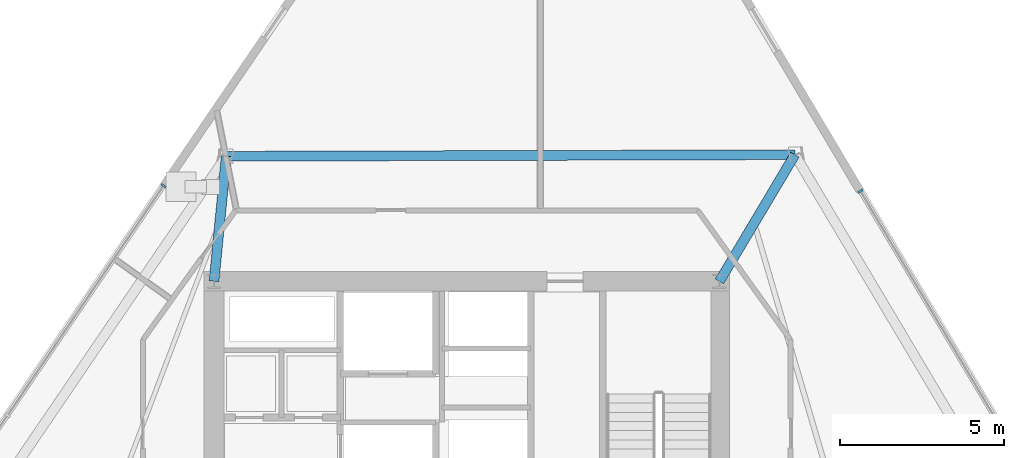
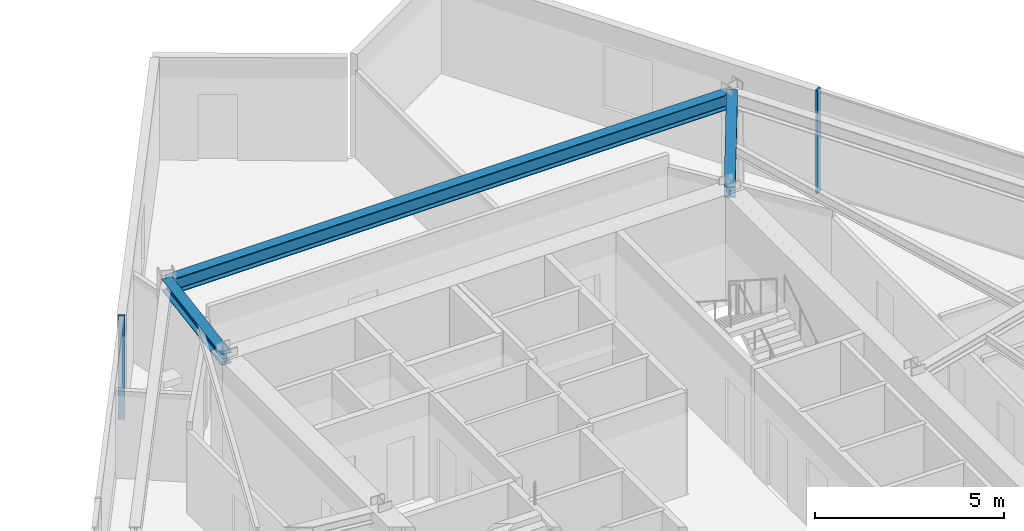
# One storey, part 6 of 15: 3 beams, 2 members, 2 elements without a shape of their own.
"""IFC4 building model written with IfcOpenShell, lengths in metres."""

from ifc_helpers import new_model, si_unit, direction, frame, origin, origin_2d, place, context, subcontext, project, spatial, rectangle, i_section, extrude, material, material_profile, profile_set, type_object, element, aggregate, save


model = new_model("IFC4")

# Units and contexts
model_context = context("Model", 3, precision=1e-05, world=origin(), true_north=direction((0.0, 1.0)))
body_context = subcontext(model_context, "Body", "Model", "MODEL_VIEW")
ifc_project = project(units=[si_unit("LENGTHUNIT", "METRE"), si_unit("AREAUNIT", "SQUARE_METRE"), si_unit("VOLUMEUNIT", "CUBIC_METRE"), si_unit("PLANEANGLEUNIT", "RADIAN"), si_unit("MASSUNIT", "GRAM", prefix="KILO")], contexts=[model_context])

# Site, building, storey
site_placement = place(None, origin())
site = spatial("IfcSite", under=ifc_project, at=site_placement, CompositionType="ELEMENT")
building_placement = place(site_placement, origin())
building = spatial("IfcBuilding", under=site, at=building_placement, Name="Savorim Split Tower", CompositionType="ELEMENT")
storey_placement = place(building_placement, frame((0.0, 0.0, 100.5)))
storey = spatial("IfcBuildingStorey", under=building, at=storey_placement, Name="L26", CompositionType="ELEMENT", Elevation=100.5)

# Beams
ifc_material_1 = material(Name="Steel S355", Category="steel")
ifc_material_profile_1 = material_profile(ifc_material_1, i_section(OverallWidth=0.300048828125, OverallDepth=0.360107421875, WebThickness=0.012451171875, FlangeThickness=0.0224609375, FilletRadius=0.027099609375, at=origin_2d()), Name="HEB 360")
ifc_profile_set_1 = profile_set([ifc_material_profile_1], Name="Steel S355")
beam_type_1 = type_object("IfcBeamType", Name="BM-PRI-HEB360", PredefinedType="BEAM", material=ifc_profile_set_1)
beam_1_placement = place(storey_placement, frame((9.998291015625, 14.05810546875, 3.169921875), z_axis=(-0.511782978851, -0.859114766814, 0.0), x_axis=(0.859114766814, -0.511782978851, 0.0)))
element("IfcBeam", 1, at=beam_1_placement, inside=storey, type_object=beam_type_1, Name="L26 Primary Floor Girder RG-07", PredefinedType="BEAM", context=body_context, shape_type="SweptSolid", body=[
    extrude(i_section(OverallWidth=0.300048828125, OverallDepth=0.360107421875, WebThickness=0.012451171875, FlangeThickness=0.0224609375, FilletRadius=0.027099609375, at=origin_2d()), origin(), (0.0, 0.0, 1.0), 4.490966796875),
])
beam_2_placement = place(storey_placement, frame((-7.3271484375, 14.009521484375, 3.169921875), z_axis=(-0.097394286852, -0.995245875595, 0.0), x_axis=(0.995245875595, -0.097394286852, 0.0)))
element("IfcBeam", 2, at=beam_2_placement, inside=storey, type_object=beam_type_1, Name="L26 Primary Floor Girder RG-08", PredefinedType="BEAM", context=body_context, shape_type="SweptSolid", body=[
    extrude(i_section(OverallWidth=0.300048828125, OverallDepth=0.360107421875, WebThickness=0.012451171875, FlangeThickness=0.0224609375, FilletRadius=0.027099609375, at=origin_2d()), origin(), (0.0, 0.0, 1.0), 3.827880859375),
])
ifc_material_profile_2 = material_profile(ifc_material_1, i_section(OverallWidth=0.300048828125, OverallDepth=0.489990234375, WebThickness=0.011962890625, FlangeThickness=0.02294921875, FilletRadius=0.027099609375, at=origin_2d()), Name="HEA 500")
ifc_profile_set_2 = profile_set([ifc_material_profile_2], Name="Steel S355")
beam_type_2 = type_object("IfcBeamType", Name="BM-SPN-HEA500", PredefinedType="SPANDREL", material=ifc_profile_set_2)
beam_3_placement = place(storey_placement, frame((9.998291015625, 14.05810546875, 3.10498046875), z_axis=(-0.999996068256, -0.002804188228, 0.0), x_axis=(0.002804188228, -0.999996068256, 0.0)))
element("IfcBeam", 3, at=beam_3_placement, inside=storey, type_object=beam_type_2, Name="L26 Perimeter Spandrel Beam 7", PredefinedType="SPANDREL", context=body_context, shape_type="SweptSolid", body=[
    extrude(i_section(OverallWidth=0.300048828125, OverallDepth=0.489990234375, WebThickness=0.011962890625, FlangeThickness=0.02294921875, FilletRadius=0.027099609375, at=origin_2d()), origin(), (0.0, 0.0, 1.0), 17.325439453125),
])

# Curtain wall, member
ifc_material_2 = material(Name="Dark Ceramic-Fritted Insulated Glass", Category="glass")
curtain_wall_type = type_object("IfcCurtainWallType", Name="CW-TWR-FRIT-A", PredefinedType="NOTDEFINED", material=ifc_material_2)
curtain_wall_1_placement = place(storey_placement, origin())
curtain_wall_1 = element("IfcCurtainWall", 4, at=curtain_wall_1_placement, inside=storey, type_object=curtain_wall_type, Name="L26 Curtain Wall CW-L26-EAST", PredefinedType="NOTDEFINED")
ifc_material_3 = material(Name="Charcoal Anodised Aluminium", Category="aluminium")
ifc_material_profile_3 = material_profile(ifc_material_3, rectangle(XDim=0.179931640625, YDim=0.06494140625, at=origin_2d()), Name="ALU-M 180x65")
ifc_profile_set_3 = profile_set([ifc_material_profile_3], Name="Charcoal Anodised Aluminium")
member_type = type_object("IfcMemberType", Name="CWM-180x65", PredefinedType="MULLION", material=ifc_profile_set_3)
member_1_placement = place(storey_placement, frame((11.993408203125, 12.94482421875, 0.0), z_axis=(0.0, 0.0, 1.0), x_axis=(-0.859524537852, -0.511094481315, 0.0)))
member_1 = element("IfcMember", 5, at=member_1_placement, type_object=member_type, Name="CW-02 mullion 5", PredefinedType="MULLION", context=body_context, shape_type="SweptSolid", body=[
    extrude(rectangle(XDim=0.179931640625, YDim=0.06494140625, at=origin_2d()), origin(), (0.0, 0.0, 1.0), 3.35009765625),
])
aggregate(curtain_wall_1, [member_1])

curtain_wall_2_placement = place(storey_placement, origin())
curtain_wall_2 = element("IfcCurtainWall", 6, at=curtain_wall_2_placement, inside=storey, type_object=curtain_wall_type, Name="L26 Curtain Wall CW-L26-WEST", PredefinedType="NOTDEFINED")
member_2_placement = place(storey_placement, frame((-9.235595703125, 13.109130859375, 0.0), z_axis=(0.0, 0.0, 1.0), x_axis=(0.826819383915, -0.562467515846, 0.0)))
member_2 = element("IfcMember", 7, at=member_2_placement, type_object=member_type, Name="CW-02 mullion 1", PredefinedType="MULLION", context=body_context, shape_type="SweptSolid", body=[
    extrude(rectangle(XDim=0.179931640625, YDim=0.06494140625, at=origin_2d()), origin(), (0.0, 0.0, 1.0), 3.35009765625),
])
aggregate(curtain_wall_2, [member_2])

save(model, "model.ifc")
